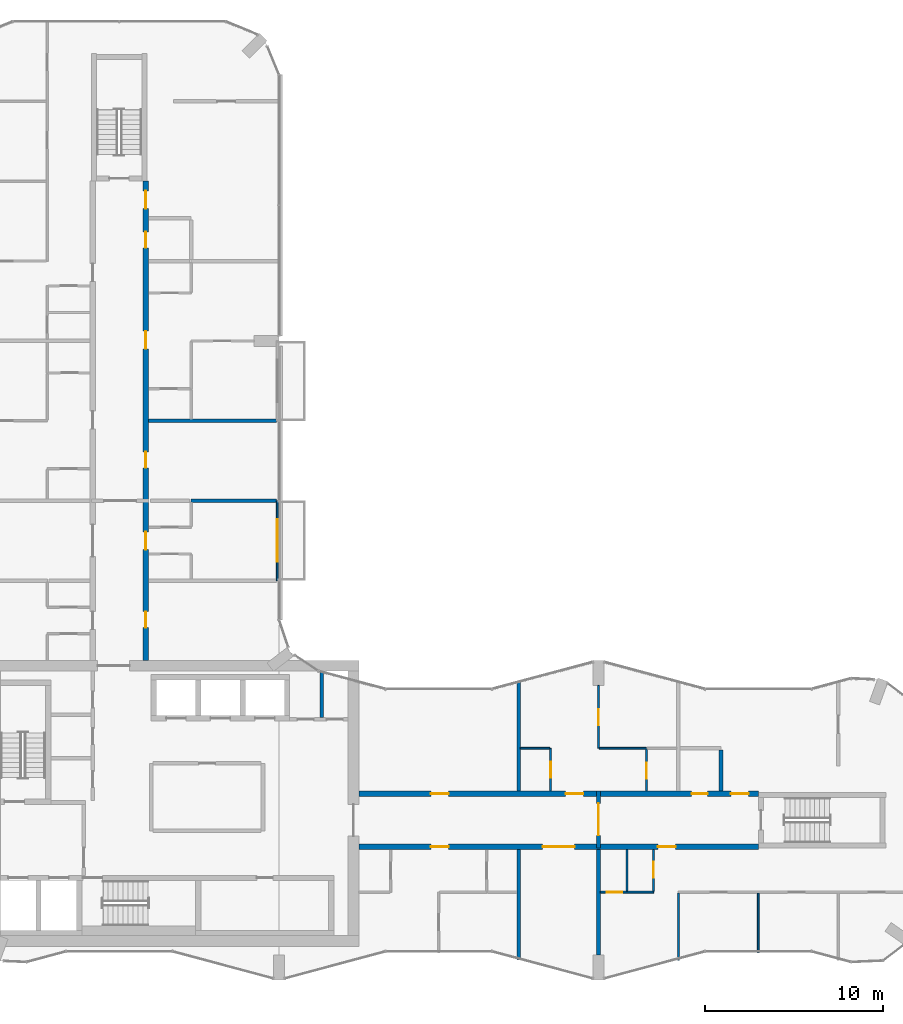
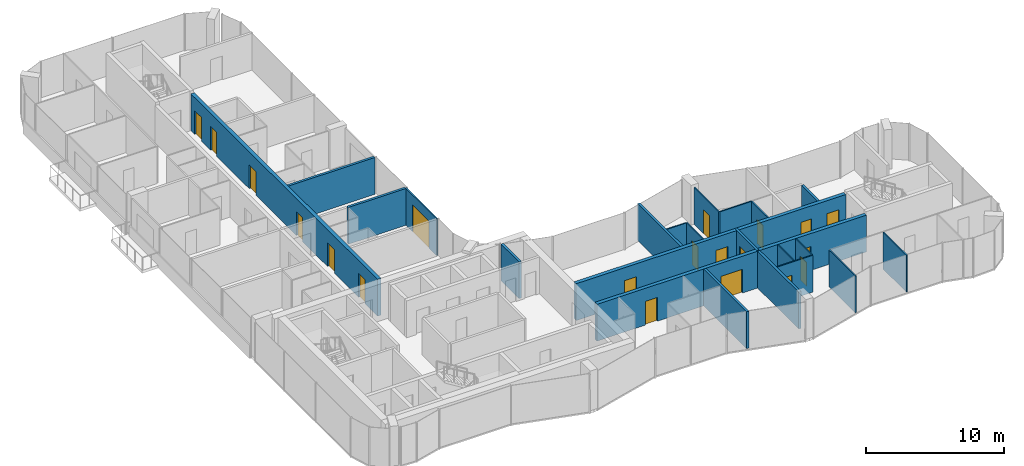
# One storey, part 11 of 15: 22 walls, 20 doors, 20 openings.
"""IFC4 building model written with IfcOpenShell, lengths in metres."""

from ifc_helpers import new_model, si_unit, direction, frame, frame_2d, origin, place, context, subcontext, project, spatial, rectangle, extrude, material, layer, layer_set, type_object, element, fill, save


model = new_model("IFC4")

# Units and contexts
model_context = context("Model", 3, precision=1e-05, world=origin(), true_north=direction((0.0, 1.0)))
body_context = subcontext(model_context, "Body", "Model", "MODEL_VIEW")
ifc_project = project(units=[si_unit("LENGTHUNIT", "METRE"), si_unit("AREAUNIT", "SQUARE_METRE"), si_unit("VOLUMEUNIT", "CUBIC_METRE"), si_unit("PLANEANGLEUNIT", "RADIAN"), si_unit("MASSUNIT", "GRAM", prefix="KILO")], contexts=[model_context])

# Site, building, storey
site_placement = place(None, origin())
site = spatial("IfcSite", under=ifc_project, at=site_placement, CompositionType="ELEMENT")
building_placement = place(site_placement, origin())
building = spatial("IfcBuilding", under=site, at=building_placement, Name="Plateau Cross Towers", CompositionType="ELEMENT")
storey_placement = place(building_placement, frame((0.0, 0.0, 149.89990234375)))
storey = spatial("IfcBuildingStorey", under=building, at=storey_placement, Name="L38", CompositionType="ELEMENT", Elevation=149.89990234375)

# Wall, opening, door
ifc_material_1 = material(Name="Aluminium framed glazing", Category="aluminium")
ifc_layer_1 = layer(ifc_material_1, 0.10009765625)
ifc_layer_set_1 = layer_set([ifc_layer_1], Name="Aluminium framed glazing")
wall_type_1 = type_object("IfcWallType", Name="Balcony screen wall 100", PredefinedType="STANDARD", material=ifc_layer_set_1)
wall_1_placement = place(storey_placement, frame((17.89990234375, 27.0, 0.0), z_axis=(0.0, 0.0, 1.0), x_axis=(0.0, -1.0, 0.0)))
wall_1 = element("IfcWall", 1, at=wall_1_placement, inside=storey, type_object=wall_type_1, Name="Balcony screen wall A-BAL-L38-03", PredefinedType="STANDARD", context=body_context, shape_type="SweptSolid", body=[
    extrude(rectangle(XDim=4.5, YDim=0.10009765625, at=frame_2d((2.25, 0.0))), origin(), (0.0, 0.0, 1.0), 3.25),
])
opening_1_placement = place(wall_1_placement, frame((1.050048828125, 0.0, 0.0)))
opening_1 = element("IfcOpeningElement", 2, at=opening_1_placement, cuts=wall_1, Name="Opening D-B24", PredefinedType="OPENING", context=body_context, shape_type="SweptSolid", body=[
    extrude(rectangle(XDim=2.39990234375, YDim=2.39990234375, at=frame_2d((1.199951171875, 1.199951171875))), frame((0.0, 0.06005859375, 0.0), z_axis=(0.0, -1.0, 0.0), x_axis=(1.0, 0.0, 0.0)), (0.0, 0.0, 1.0), 0.1201171875),
])
ifc_material_2 = material(Name="Aluminium frame, double glazing", Category="aluminium")
door_type_1 = type_object("IfcDoorType", Name="Balcony sliding door 2400", OperationType="NOTDEFINED", PredefinedType="DOOR", material=ifc_material_2)
door_1_placement = place(opening_1_placement, origin())
door_1 = element("IfcDoor", 3, at=door_1_placement, inside=storey, type_object=door_type_1, Name="Balcony door A-BAL-L38-03", OperationType="SINGLE_SWING_LEFT", OverallHeight=2.39990234375, OverallWidth=2.39990234375, PredefinedType="DOOR", context=body_context, shape_type="SweptSolid", body=[
    extrude(rectangle(XDim=2.39990234375, YDim=2.39990234375, at=frame_2d((1.199951171875, 1.199951171875))), frame((0.0, 0.02490234375, 0.0), z_axis=(0.0, -1.0, 0.0), x_axis=(1.0, 0.0, 0.0)), (0.0, 0.0, 1.0), 0.050048828125),
])
fill(opening_1, door_1)

# Wall
ifc_material_3 = material(Name="Concrete block, plastered both sides", Category="concrete")
ifc_layer_2 = layer(ifc_material_3, 0.199951171875)
ifc_layer_set_2 = layer_set([ifc_layer_2], Name="Concrete block, plastered both sides")
wall_type_2 = type_object("IfcWallType", Name="Core partition 200", PredefinedType="PARTITIONING", material=ifc_layer_set_2)
wall_2_placement = place(storey_placement, frame((20.39990234375, 14.800048828125, 0.0), z_axis=(0.0, 0.0, 1.0), x_axis=(0.0, 1.0, 0.0)))
element("IfcWall", 4, at=wall_2_placement, inside=storey, type_object=wall_type_2, Name="Core partition", PredefinedType="PARTITIONING", context=body_context, shape_type="SweptSolid", body=[
    extrude(rectangle(XDim=2.599853515625, YDim=0.199951171875, at=frame_2d((1.2998046875, 0.0))), origin(), (0.0, 0.0, 1.0), 3.25),
])

# Wall, openings, doors
ifc_material_4 = material(Name="Concrete C60/75", Category="concrete")
ifc_layer_3 = layer(ifc_material_4, 0.300048828125)
ifc_layer_set_3 = layer_set([ifc_layer_3], Name="Concrete C60/75")
wall_type_3 = type_object("IfcWallType", Name="Corridor wall 300", PredefinedType="SHEAR", material=ifc_layer_set_3)
wall_3_placement = place(storey_placement, frame((22.5, 7.5, 0.0), z_axis=(0.0, 0.0, 1.0), x_axis=(1.0, 0.0, 0.0)))
wall_3 = element("IfcWall", 5, at=wall_3_placement, inside=storey, type_object=wall_type_3, Name="A-cw-S1@L38", PredefinedType="SHEAR", context=body_context, shape_type="SweptSolid", body=[
    extrude(rectangle(XDim=22.5, YDim=0.300048828125, at=frame_2d((11.25, 0.0))), origin(), (0.0, 0.0, 1.0), 3.25),
])
opening_2_placement = place(wall_3_placement, frame((4.050048828125, 0.0, 0.0)))
opening_2 = element("IfcOpeningElement", 6, at=opening_2_placement, cuts=wall_3, Name="Opening 38-01", PredefinedType="OPENING", context=body_context, shape_type="SweptSolid", body=[
    extrude(rectangle(XDim=1.0, YDim=2.10009765625, at=frame_2d((0.5, 1.050048828125))), frame((0.0, 0.159912109375, 0.0), z_axis=(0.0, -1.0, 0.0), x_axis=(1.0, 0.0, 0.0)), (0.0, 0.0, 1.0), 0.320068359375),
])
opening_3_placement = place(wall_3_placement, frame((10.35009765625, 0.0, 0.0)))
opening_3 = element("IfcOpeningElement", 7, at=opening_3_placement, cuts=wall_3, Name="Opening 38-02", PredefinedType="OPENING", context=body_context, shape_type="SweptSolid", body=[
    extrude(rectangle(XDim=1.800048828125, YDim=2.10009765625, at=frame_2d((0.89990234375, 1.050048828125))), frame((0.0, 0.159912109375, 0.0), z_axis=(0.0, -1.0, 0.0), x_axis=(1.0, 0.0, 0.0)), (0.0, 0.0, 1.0), 0.320068359375),
])
opening_4_placement = place(wall_3_placement, frame((16.85009765625, 0.0, 0.0)))
opening_4 = element("IfcOpeningElement", 8, at=opening_4_placement, cuts=wall_3, Name="Opening 38-03", PredefinedType="OPENING", context=body_context, shape_type="SweptSolid", body=[
    extrude(rectangle(XDim=1.0, YDim=2.10009765625, at=frame_2d((0.5, 1.050048828125))), frame((0.0, 0.159912109375, 0.0), z_axis=(0.0, -1.0, 0.0), x_axis=(1.0, 0.0, 0.0)), (0.0, 0.0, 1.0), 0.320068359375),
])
ifc_material_5 = material(Name="Timber, fire-resisting leaf", Category="wood")
door_type_2 = type_object("IfcDoorType", Name="Flat entrance door 1000", OperationType="NOTDEFINED", PredefinedType="DOOR", material=ifc_material_5)
door_2_placement = place(opening_2_placement, origin())
door_2 = element("IfcDoor", 9, at=door_2_placement, inside=storey, type_object=door_type_2, Name="Door 38-01", OperationType="SINGLE_SWING_LEFT", OverallHeight=2.10009765625, OverallWidth=1.0, PredefinedType="DOOR", context=body_context, shape_type="SweptSolid", body=[
    extrude(rectangle(XDim=1.0, YDim=2.10009765625, at=frame_2d((0.5, 1.050048828125))), frame((0.0, 0.02490234375, 0.0), z_axis=(0.0, -1.0, 0.0), x_axis=(1.0, 0.0, 0.0)), (0.0, 0.0, 1.0), 0.050048828125),
])
fill(opening_2, door_2)
door_3_placement = place(opening_4_placement, origin())
door_3 = element("IfcDoor", 10, at=door_3_placement, inside=storey, type_object=door_type_2, Name="Door 38-03", OperationType="SINGLE_SWING_RIGHT", OverallHeight=2.10009765625, OverallWidth=1.0, PredefinedType="DOOR", context=body_context, shape_type="SweptSolid", body=[
    extrude(rectangle(XDim=1.0, YDim=2.10009765625, at=frame_2d((0.5, 1.050048828125))), frame((0.0, 0.02490234375, 0.0), z_axis=(0.0, -1.0, 0.0), x_axis=(1.0, 0.0, 0.0)), (0.0, 0.0, 1.0), 0.050048828125),
])
fill(opening_4, door_3)
ifc_material_6 = material(Name="Timber, fire-resisting leaves", Category="wood")
door_type_3 = type_object("IfcDoorType", Name="Flat floor fire door pair 1800", OperationType="NOTDEFINED", PredefinedType="DOOR", material=ifc_material_6)
door_4_placement = place(opening_3_placement, origin())
door_4 = element("IfcDoor", 11, at=door_4_placement, inside=storey, type_object=door_type_3, Name="Door 38-02", OperationType="SINGLE_SWING_LEFT", OverallHeight=2.10009765625, OverallWidth=1.800048828125, PredefinedType="DOOR", context=body_context, shape_type="SweptSolid", body=[
    extrude(rectangle(XDim=1.800048828125, YDim=2.10009765625, at=frame_2d((0.89990234375, 1.050048828125))), frame((0.0, 0.02490234375, 0.0), z_axis=(0.0, -1.0, 0.0), x_axis=(1.0, 0.0, 0.0)), (0.0, 0.0, 1.0), 0.050048828125),
])
fill(opening_3, door_4)

wall_4_placement = place(storey_placement, frame((22.5, 10.5, 0.0), z_axis=(0.0, 0.0, 1.0), x_axis=(1.0, 0.0, 0.0)))
wall_4 = element("IfcWall", 12, at=wall_4_placement, inside=storey, type_object=wall_type_3, Name="A-cw-S2@L38", PredefinedType="SHEAR", context=body_context, shape_type="SweptSolid", body=[
    extrude(rectangle(XDim=22.5, YDim=0.300048828125, at=frame_2d((11.25, 0.0))), origin(), (0.0, 0.0, 1.0), 3.25),
])
opening_5_placement = place(wall_4_placement, frame((4.050048828125, 0.0, 0.0)))
opening_5 = element("IfcOpeningElement", 13, at=opening_5_placement, cuts=wall_4, Name="Opening 38-04", PredefinedType="OPENING", context=body_context, shape_type="SweptSolid", body=[
    extrude(rectangle(XDim=1.0, YDim=2.10009765625, at=frame_2d((0.5, 1.050048828125))), frame((0.0, 0.159912109375, 0.0), z_axis=(0.0, -1.0, 0.0), x_axis=(1.0, 0.0, 0.0)), (0.0, 0.0, 1.0), 0.320068359375),
])
opening_6_placement = place(wall_4_placement, frame((11.64990234375, 0.0, 0.0)))
opening_6 = element("IfcOpeningElement", 14, at=opening_6_placement, cuts=wall_4, Name="Opening 38-05", PredefinedType="OPENING", context=body_context, shape_type="SweptSolid", body=[
    extrude(rectangle(XDim=1.0, YDim=2.10009765625, at=frame_2d((0.5, 1.050048828125))), frame((0.0, 0.159912109375, 0.0), z_axis=(0.0, -1.0, 0.0), x_axis=(1.0, 0.0, 0.0)), (0.0, 0.0, 1.0), 0.320068359375),
])
opening_7_placement = place(wall_4_placement, frame((18.75, 0.0, 0.0)))
opening_7 = element("IfcOpeningElement", 15, at=opening_7_placement, cuts=wall_4, Name="Opening 38-06", PredefinedType="OPENING", context=body_context, shape_type="SweptSolid", body=[
    extrude(rectangle(XDim=0.89990234375, YDim=2.10009765625, at=frame_2d((0.449951171875, 1.050048828125))), frame((0.0, 0.159912109375, 0.0), z_axis=(0.0, -1.0, 0.0), x_axis=(1.0, 0.0, 0.0)), (0.0, 0.0, 1.0), 0.320068359375),
])
opening_8_placement = place(wall_4_placement, frame((20.949951171875, 0.0, 0.0)))
opening_8 = element("IfcOpeningElement", 16, at=opening_8_placement, cuts=wall_4, Name="Opening 38-07", PredefinedType="OPENING", context=body_context, shape_type="SweptSolid", body=[
    extrude(rectangle(XDim=1.0, YDim=2.10009765625, at=frame_2d((0.5, 1.050048828125))), frame((0.0, 0.159912109375, 0.0), z_axis=(0.0, -1.0, 0.0), x_axis=(1.0, 0.0, 0.0)), (0.0, 0.0, 1.0), 0.320068359375),
])
door_5_placement = place(opening_5_placement, origin())
door_5 = element("IfcDoor", 17, at=door_5_placement, inside=storey, type_object=door_type_2, Name="Door 38-04", OperationType="SINGLE_SWING_LEFT", OverallHeight=2.10009765625, OverallWidth=1.0, PredefinedType="DOOR", context=body_context, shape_type="SweptSolid", body=[
    extrude(rectangle(XDim=1.0, YDim=2.10009765625, at=frame_2d((0.5, 1.050048828125))), frame((0.0, 0.02490234375, 0.0), z_axis=(0.0, -1.0, 0.0), x_axis=(1.0, 0.0, 0.0)), (0.0, 0.0, 1.0), 0.050048828125),
])
fill(opening_5, door_5)
door_6_placement = place(opening_6_placement, origin())
door_6 = element("IfcDoor", 18, at=door_6_placement, inside=storey, type_object=door_type_2, Name="Door 38-05", OperationType="SINGLE_SWING_RIGHT", OverallHeight=2.10009765625, OverallWidth=1.0, PredefinedType="DOOR", context=body_context, shape_type="SweptSolid", body=[
    extrude(rectangle(XDim=1.0, YDim=2.10009765625, at=frame_2d((0.5, 1.050048828125))), frame((0.0, 0.02490234375, 0.0), z_axis=(0.0, -1.0, 0.0), x_axis=(1.0, 0.0, 0.0)), (0.0, 0.0, 1.0), 0.050048828125),
])
fill(opening_6, door_6)
door_7_placement = place(opening_8_placement, origin())
door_7 = element("IfcDoor", 19, at=door_7_placement, inside=storey, type_object=door_type_2, Name="Door 38-07", OperationType="SINGLE_SWING_RIGHT", OverallHeight=2.10009765625, OverallWidth=1.0, PredefinedType="DOOR", context=body_context, shape_type="SweptSolid", body=[
    extrude(rectangle(XDim=1.0, YDim=2.10009765625, at=frame_2d((0.5, 1.050048828125))), frame((0.0, 0.02490234375, 0.0), z_axis=(0.0, -1.0, 0.0), x_axis=(1.0, 0.0, 0.0)), (0.0, 0.0, 1.0), 0.050048828125),
])
fill(opening_8, door_7)
door_type_4 = type_object("IfcDoorType", Name="Flat floor service door 900", OperationType="NOTDEFINED", PredefinedType="DOOR", material=ifc_material_5)
door_8_placement = place(opening_7_placement, origin())
door_8 = element("IfcDoor", 20, at=door_8_placement, inside=storey, type_object=door_type_4, Name="Door 38-06", OperationType="SINGLE_SWING_RIGHT", OverallHeight=2.10009765625, OverallWidth=0.89990234375, PredefinedType="DOOR", context=body_context, shape_type="SweptSolid", body=[
    extrude(rectangle(XDim=0.89990234375, YDim=2.10009765625, at=frame_2d((0.449951171875, 1.050048828125))), frame((0.0, 0.02490234375, 0.0), z_axis=(0.0, -1.0, 0.0), x_axis=(1.0, 0.0, 0.0)), (0.0, 0.0, 1.0), 0.050048828125),
])
fill(opening_7, door_8)

wall_5_placement = place(storey_placement, frame((10.5, 18.0, 0.0), z_axis=(0.0, 0.0, 1.0), x_axis=(0.0, 1.0, 0.0)))
wall_5 = element("IfcWall", 21, at=wall_5_placement, inside=storey, type_object=wall_type_3, Name="A-cw-W2@L38", PredefinedType="SHEAR", context=body_context, shape_type="SweptSolid", body=[
    extrude(rectangle(XDim=27.0, YDim=0.300048828125, at=frame_2d((13.5, 0.0))), origin(), (0.0, 0.0, 1.0), 3.25),
])
opening_9_placement = place(wall_5_placement, frame((1.85009765625, 0.0, 0.0)))
opening_9 = element("IfcOpeningElement", 22, at=opening_9_placement, cuts=wall_5, Name="Opening 38-12", PredefinedType="OPENING", context=body_context, shape_type="SweptSolid", body=[
    extrude(rectangle(XDim=0.89990234375, YDim=2.10009765625, at=frame_2d((0.449951171875, 1.050048828125))), frame((0.0, 0.159912109375, 0.0), z_axis=(0.0, -1.0, 0.0), x_axis=(1.0, 0.0, 0.0)), (0.0, 0.0, 1.0), 0.320068359375),
])
opening_10_placement = place(wall_5_placement, frame((6.25, 0.0, 0.0)))
opening_10 = element("IfcOpeningElement", 23, at=opening_10_placement, cuts=wall_5, Name="Opening 38-13", PredefinedType="OPENING", context=body_context, shape_type="SweptSolid", body=[
    extrude(rectangle(XDim=1.0, YDim=2.10009765625, at=frame_2d((0.5, 1.050048828125))), frame((0.0, 0.159912109375, 0.0), z_axis=(0.0, -1.0, 0.0), x_axis=(1.0, 0.0, 0.0)), (0.0, 0.0, 1.0), 0.320068359375),
])
opening_11_placement = place(wall_5_placement, frame((10.85009765625, 0.0, 0.0)))
opening_11 = element("IfcOpeningElement", 24, at=opening_11_placement, cuts=wall_5, Name="Opening 38-14", PredefinedType="OPENING", context=body_context, shape_type="SweptSolid", body=[
    extrude(rectangle(XDim=0.89990234375, YDim=2.10009765625, at=frame_2d((0.449951171875, 1.050048828125))), frame((0.0, 0.159912109375, 0.0), z_axis=(0.0, -1.0, 0.0), x_axis=(1.0, 0.0, 0.0)), (0.0, 0.0, 1.0), 0.320068359375),
])
opening_12_placement = place(wall_5_placement, frame((17.550048828125, 0.0, 0.0)))
opening_12 = element("IfcOpeningElement", 25, at=opening_12_placement, cuts=wall_5, Name="Opening 38-15", PredefinedType="OPENING", context=body_context, shape_type="SweptSolid", body=[
    extrude(rectangle(XDim=1.0, YDim=2.10009765625, at=frame_2d((0.5, 1.050048828125))), frame((0.0, 0.159912109375, 0.0), z_axis=(0.0, -1.0, 0.0), x_axis=(1.0, 0.0, 0.0)), (0.0, 0.0, 1.0), 0.320068359375),
])
opening_13_placement = place(wall_5_placement, frame((23.25, 0.0, 0.0)))
opening_13 = element("IfcOpeningElement", 26, at=opening_13_placement, cuts=wall_5, Name="Opening 38-16", PredefinedType="OPENING", context=body_context, shape_type="SweptSolid", body=[
    extrude(rectangle(XDim=0.89990234375, YDim=2.10009765625, at=frame_2d((0.449951171875, 1.050048828125))), frame((0.0, 0.159912109375, 0.0), z_axis=(0.0, -1.0, 0.0), x_axis=(1.0, 0.0, 0.0)), (0.0, 0.0, 1.0), 0.320068359375),
])
opening_14_placement = place(wall_5_placement, frame((25.449951171875, 0.0, 0.0)))
opening_14 = element("IfcOpeningElement", 27, at=opening_14_placement, cuts=wall_5, Name="Opening 38-17", PredefinedType="OPENING", context=body_context, shape_type="SweptSolid", body=[
    extrude(rectangle(XDim=1.0, YDim=2.10009765625, at=frame_2d((0.5, 1.050048828125))), frame((0.0, 0.159912109375, 0.0), z_axis=(0.0, -1.0, 0.0), x_axis=(1.0, 0.0, 0.0)), (0.0, 0.0, 1.0), 0.320068359375),
])
door_9_placement = place(opening_10_placement, origin())
door_9 = element("IfcDoor", 28, at=door_9_placement, inside=storey, type_object=door_type_2, Name="Door 38-13", OperationType="SINGLE_SWING_LEFT", OverallHeight=2.10009765625, OverallWidth=1.0, PredefinedType="DOOR", context=body_context, shape_type="SweptSolid", body=[
    extrude(rectangle(XDim=1.0, YDim=2.10009765625, at=frame_2d((0.5, 1.050048828125))), frame((0.0, 0.02490234375, 0.0), z_axis=(0.0, -1.0, 0.0), x_axis=(1.0, 0.0, 0.0)), (0.0, 0.0, 1.0), 0.050048828125),
])
fill(opening_10, door_9)
door_10_placement = place(opening_12_placement, origin())
door_10 = element("IfcDoor", 29, at=door_10_placement, inside=storey, type_object=door_type_2, Name="Door 38-15", OperationType="SINGLE_SWING_RIGHT", OverallHeight=2.10009765625, OverallWidth=1.0, PredefinedType="DOOR", context=body_context, shape_type="SweptSolid", body=[
    extrude(rectangle(XDim=1.0, YDim=2.10009765625, at=frame_2d((0.5, 1.050048828125))), frame((0.0, 0.02490234375, 0.0), z_axis=(0.0, -1.0, 0.0), x_axis=(1.0, 0.0, 0.0)), (0.0, 0.0, 1.0), 0.050048828125),
])
fill(opening_12, door_10)
door_11_placement = place(opening_14_placement, origin())
door_11 = element("IfcDoor", 30, at=door_11_placement, inside=storey, type_object=door_type_2, Name="Door 38-17", OperationType="SINGLE_SWING_RIGHT", OverallHeight=2.10009765625, OverallWidth=1.0, PredefinedType="DOOR", context=body_context, shape_type="SweptSolid", body=[
    extrude(rectangle(XDim=1.0, YDim=2.10009765625, at=frame_2d((0.5, 1.050048828125))), frame((0.0, 0.02490234375, 0.0), z_axis=(0.0, -1.0, 0.0), x_axis=(1.0, 0.0, 0.0)), (0.0, 0.0, 1.0), 0.050048828125),
])
fill(opening_14, door_11)
door_12_placement = place(opening_9_placement, origin())
door_12 = element("IfcDoor", 31, at=door_12_placement, inside=storey, type_object=door_type_4, Name="Door 38-12", OperationType="SINGLE_SWING_LEFT", OverallHeight=2.10009765625, OverallWidth=0.89990234375, PredefinedType="DOOR", context=body_context, shape_type="SweptSolid", body=[
    extrude(rectangle(XDim=0.89990234375, YDim=2.10009765625, at=frame_2d((0.449951171875, 1.050048828125))), frame((0.0, 0.02490234375, 0.0), z_axis=(0.0, -1.0, 0.0), x_axis=(1.0, 0.0, 0.0)), (0.0, 0.0, 1.0), 0.050048828125),
])
fill(opening_9, door_12)
door_13_placement = place(opening_11_placement, origin())
door_13 = element("IfcDoor", 32, at=door_13_placement, inside=storey, type_object=door_type_4, Name="Door 38-14", OperationType="SINGLE_SWING_LEFT", OverallHeight=2.10009765625, OverallWidth=0.89990234375, PredefinedType="DOOR", context=body_context, shape_type="SweptSolid", body=[
    extrude(rectangle(XDim=0.89990234375, YDim=2.10009765625, at=frame_2d((0.449951171875, 1.050048828125))), frame((0.0, 0.02490234375, 0.0), z_axis=(0.0, -1.0, 0.0), x_axis=(1.0, 0.0, 0.0)), (0.0, 0.0, 1.0), 0.050048828125),
])
fill(opening_11, door_13)
door_14_placement = place(opening_13_placement, origin())
door_14 = element("IfcDoor", 33, at=door_14_placement, inside=storey, type_object=door_type_4, Name="Door 38-16", OperationType="SINGLE_SWING_RIGHT", OverallHeight=2.10009765625, OverallWidth=0.89990234375, PredefinedType="DOOR", context=body_context, shape_type="SweptSolid", body=[
    extrude(rectangle(XDim=0.89990234375, YDim=2.10009765625, at=frame_2d((0.449951171875, 1.050048828125))), frame((0.0, 0.02490234375, 0.0), z_axis=(0.0, -1.0, 0.0), x_axis=(1.0, 0.0, 0.0)), (0.0, 0.0, 1.0), 0.050048828125),
])
fill(opening_13, door_14)

# Wall, opening, door
ifc_material_7 = material(Name="Gypsum board on steel studs", Category="steel")
ifc_layer_4 = layer(ifc_material_7, 0.10009765625)
ifc_layer_set_4 = layer_set([ifc_layer_4], Name="Gypsum board on steel studs")
wall_type_4 = type_object("IfcWallType", Name="Flat partition 100", PredefinedType="PARTITIONING", material=ifc_layer_set_4)
wall_6_placement = place(storey_placement, frame((36.10009765625, 4.949951171875, 0.0), z_axis=(0.0, 0.0, 1.0), x_axis=(1.0, 0.0, 0.0)))
wall_6 = element("IfcWall", 34, at=wall_6_placement, inside=storey, type_object=wall_type_4, Name="Partition wall", PredefinedType="PARTITIONING", context=body_context, shape_type="SweptSolid", body=[
    extrude(rectangle(XDim=3.0, YDim=0.10009765625, at=frame_2d((1.5, 0.0))), origin(), (0.0, 0.0, 1.0), 3.25),
])
opening_15_placement = place(wall_6_placement, frame((0.35009765625, 0.0, 0.0)))
opening_15 = element("IfcOpeningElement", 35, at=opening_15_placement, cuts=wall_6, Name="Opening 38-25", PredefinedType="OPENING", context=body_context, shape_type="SweptSolid", body=[
    extrude(rectangle(XDim=0.89990234375, YDim=2.10009765625, at=frame_2d((0.449951171875, 1.050048828125))), frame((0.0, 0.06005859375, 0.0), z_axis=(0.0, -1.0, 0.0), x_axis=(1.0, 0.0, 0.0)), (0.0, 0.0, 1.0), 0.1201171875),
])
ifc_material_8 = material(Name="Timber leaf", Category="wood")
door_type_5 = type_object("IfcDoorType", Name="Flat room door 900", OperationType="NOTDEFINED", PredefinedType="DOOR", material=ifc_material_8)
door_15_placement = place(opening_15_placement, origin())
door_15 = element("IfcDoor", 36, at=door_15_placement, inside=storey, type_object=door_type_5, Name="Door 38-25", OperationType="SINGLE_SWING_LEFT", OverallHeight=2.10009765625, OverallWidth=0.89990234375, PredefinedType="DOOR", context=body_context, shape_type="SweptSolid", body=[
    extrude(rectangle(XDim=0.89990234375, YDim=2.10009765625, at=frame_2d((0.449951171875, 1.050048828125))), frame((0.0, 0.02490234375, 0.0), z_axis=(0.0, -1.0, 0.0), x_axis=(1.0, 0.0, 0.0)), (0.0, 0.0, 1.0), 0.050048828125),
])
fill(opening_15, door_15)

# Walls
wall_7_placement = place(storey_placement, frame((33.25, 13.050048828125, 0.0), z_axis=(0.0, 0.0, 1.0), x_axis=(-1.0, 0.0, 0.0)))
element("IfcWall", 37, at=wall_7_placement, inside=storey, type_object=wall_type_4, Name="Partition wall", PredefinedType="PARTITIONING", context=body_context, shape_type="SweptSolid", body=[
    extrude(rectangle(XDim=1.64990234375, YDim=0.10009765625, at=frame_2d((0.824951171875, 0.0))), origin(), (0.0, 0.0, 1.0), 3.25),
])
wall_8_placement = place(storey_placement, frame((36.050048828125, 13.050048828125, 0.0), z_axis=(0.0, 0.0, 1.0), x_axis=(1.0, 0.0, 0.0)))
element("IfcWall", 38, at=wall_8_placement, inside=storey, type_object=wall_type_4, Name="Partition wall", PredefinedType="PARTITIONING", context=body_context, shape_type="SweptSolid", body=[
    extrude(rectangle(XDim=2.64990234375, YDim=0.10009765625, at=frame_2d((1.324951171875, 0.0))), origin(), (0.0, 0.0, 1.0), 3.25),
])

# Wall, opening, door
wall_9_placement = place(storey_placement, frame((33.300048828125, 10.64990234375, 0.0), z_axis=(0.0, 0.0, 1.0), x_axis=(0.0, 1.0, 0.0)))
wall_9 = element("IfcWall", 39, at=wall_9_placement, inside=storey, type_object=wall_type_4, Name="Partition wall", PredefinedType="PARTITIONING", context=body_context, shape_type="SweptSolid", body=[
    extrude(rectangle(XDim=2.400146484375, YDim=0.10009765625, at=frame_2d((1.2001953125, 0.0))), origin(), (0.0, 0.0, 1.0), 3.25),
])
opening_16_placement = place(wall_9_placement, frame((0.75, 0.0, 0.0)))
opening_16 = element("IfcOpeningElement", 40, at=opening_16_placement, cuts=wall_9, Name="Opening 38-30", PredefinedType="OPENING", context=body_context, shape_type="SweptSolid", body=[
    extrude(rectangle(XDim=0.89990234375, YDim=2.10009765625, at=frame_2d((0.449951171875, 1.050048828125))), frame((0.0, 0.06005859375, 0.0), z_axis=(0.0, -1.0, 0.0), x_axis=(1.0, 0.0, 0.0)), (0.0, 0.0, 1.0), 0.1201171875),
])
door_16_placement = place(opening_16_placement, origin())
door_16 = element("IfcDoor", 41, at=door_16_placement, inside=storey, type_object=door_type_5, Name="Door 38-30", OperationType="SINGLE_SWING_LEFT", OverallHeight=2.10009765625, OverallWidth=0.89990234375, PredefinedType="DOOR", context=body_context, shape_type="SweptSolid", body=[
    extrude(rectangle(XDim=0.89990234375, YDim=2.10009765625, at=frame_2d((0.449951171875, 1.050048828125))), frame((0.0, 0.02490234375, 0.0), z_axis=(0.0, -1.0, 0.0), x_axis=(1.0, 0.0, 0.0)), (0.0, 0.0, 1.0), 0.050048828125),
])
fill(opening_16, door_16)

wall_10_placement = place(storey_placement, frame((36.0, 16.60009765625, 0.0), z_axis=(0.0, 0.0, 1.0), x_axis=(0.0, -1.0, 0.0)))
wall_10 = element("IfcWall", 42, at=wall_10_placement, inside=storey, type_object=wall_type_4, Name="Partition wall", PredefinedType="PARTITIONING", context=body_context, shape_type="SweptSolid", body=[
    extrude(rectangle(XDim=3.550048828125, YDim=0.10009765625, at=frame_2d((1.77490234375, 0.0))), origin(), (0.0, 0.0, 1.0), 3.25),
])
opening_17_placement = place(wall_10_placement, frame((1.35009765625, 0.0, 0.0)))
opening_17 = element("IfcOpeningElement", 43, at=opening_17_placement, cuts=wall_10, Name="Opening 38-32", PredefinedType="OPENING", context=body_context, shape_type="SweptSolid", body=[
    extrude(rectangle(XDim=0.89990234375, YDim=2.10009765625, at=frame_2d((0.449951171875, 1.050048828125))), frame((0.0, 0.06005859375, 0.0), z_axis=(0.0, -1.0, 0.0), x_axis=(1.0, 0.0, 0.0)), (0.0, 0.0, 1.0), 0.1201171875),
])
door_17_placement = place(opening_17_placement, origin())
door_17 = element("IfcDoor", 44, at=door_17_placement, inside=storey, type_object=door_type_5, Name="Door 38-32", OperationType="SINGLE_SWING_RIGHT", OverallHeight=2.10009765625, OverallWidth=0.89990234375, PredefinedType="DOOR", context=body_context, shape_type="SweptSolid", body=[
    extrude(rectangle(XDim=0.89990234375, YDim=2.10009765625, at=frame_2d((0.449951171875, 1.050048828125))), frame((0.0, 0.02490234375, 0.0), z_axis=(0.0, -1.0, 0.0), x_axis=(1.0, 0.0, 0.0)), (0.0, 0.0, 1.0), 0.050048828125),
])
fill(opening_17, door_17)

# Wall
wall_11_placement = place(storey_placement, frame((37.60009765625, 5.0, 0.0), z_axis=(0.0, 0.0, 1.0), x_axis=(0.0, 1.0, 0.0)))
element("IfcWall", 45, at=wall_11_placement, inside=storey, type_object=wall_type_4, Name="Partition wall", PredefinedType="PARTITIONING", context=body_context, shape_type="SweptSolid", body=[
    extrude(rectangle(XDim=2.35009765625, YDim=0.10009765625, at=frame_2d((1.175048828125, 0.0))), origin(), (0.0, 0.0, 1.0), 3.25),
])

# Wall, opening, door
wall_12_placement = place(storey_placement, frame((38.699951171875, 13.0, 0.0), z_axis=(0.0, 0.0, 1.0), x_axis=(0.0, -1.0, 0.0)))
wall_12 = element("IfcWall", 46, at=wall_12_placement, inside=storey, type_object=wall_type_4, Name="Partition wall", PredefinedType="PARTITIONING", context=body_context, shape_type="SweptSolid", body=[
    extrude(rectangle(XDim=2.35009765625, YDim=0.10009765625, at=frame_2d((1.175048828125, 0.0))), origin(), (0.0, 0.0, 1.0), 3.25),
])
opening_18_placement = place(wall_12_placement, frame((0.75, 0.0, 0.0)))
opening_18 = element("IfcOpeningElement", 47, at=opening_18_placement, cuts=wall_12, Name="Opening 38-31", PredefinedType="OPENING", context=body_context, shape_type="SweptSolid", body=[
    extrude(rectangle(XDim=0.89990234375, YDim=2.10009765625, at=frame_2d((0.449951171875, 1.050048828125))), frame((0.0, 0.06005859375, 0.0), z_axis=(0.0, -1.0, 0.0), x_axis=(1.0, 0.0, 0.0)), (0.0, 0.0, 1.0), 0.1201171875),
])
door_18_placement = place(opening_18_placement, origin())
door_18 = element("IfcDoor", 48, at=door_18_placement, inside=storey, type_object=door_type_5, Name="Door 38-31", OperationType="SINGLE_SWING_RIGHT", OverallHeight=2.10009765625, OverallWidth=0.89990234375, PredefinedType="DOOR", context=body_context, shape_type="SweptSolid", body=[
    extrude(rectangle(XDim=0.89990234375, YDim=2.10009765625, at=frame_2d((0.449951171875, 1.050048828125))), frame((0.0, 0.02490234375, 0.0), z_axis=(0.0, -1.0, 0.0), x_axis=(1.0, 0.0, 0.0)), (0.0, 0.0, 1.0), 0.050048828125),
])
fill(opening_18, door_18)

wall_13_placement = place(storey_placement, frame((39.10009765625, 5.0, 0.0), z_axis=(0.0, 0.0, 1.0), x_axis=(0.0, 1.0, 0.0)))
wall_13 = element("IfcWall", 49, at=wall_13_placement, inside=storey, type_object=wall_type_4, Name="Partition wall", PredefinedType="PARTITIONING", context=body_context, shape_type="SweptSolid", body=[
    extrude(rectangle(XDim=2.35009765625, YDim=0.10009765625, at=frame_2d((1.175048828125, 0.0))), origin(), (0.0, 0.0, 1.0), 3.25),
])
opening_19_placement = place(wall_13_placement, frame((0.75, 0.0, 0.0)))
opening_19 = element("IfcOpeningElement", 50, at=opening_19_placement, cuts=wall_13, Name="Opening 38-26", PredefinedType="OPENING", context=body_context, shape_type="SweptSolid", body=[
    extrude(rectangle(XDim=0.89990234375, YDim=2.10009765625, at=frame_2d((0.449951171875, 1.050048828125))), frame((0.0, 0.06005859375, 0.0), z_axis=(0.0, -1.0, 0.0), x_axis=(1.0, 0.0, 0.0)), (0.0, 0.0, 1.0), 0.1201171875),
])
door_19_placement = place(opening_19_placement, origin())
door_19 = element("IfcDoor", 51, at=door_19_placement, inside=storey, type_object=door_type_5, Name="Door 38-26", OperationType="SINGLE_SWING_RIGHT", OverallHeight=2.10009765625, OverallWidth=0.89990234375, PredefinedType="DOOR", context=body_context, shape_type="SweptSolid", body=[
    extrude(rectangle(XDim=0.89990234375, YDim=2.10009765625, at=frame_2d((0.449951171875, 1.050048828125))), frame((0.0, 0.02490234375, 0.0), z_axis=(0.0, -1.0, 0.0), x_axis=(1.0, 0.0, 0.0)), (0.0, 0.0, 1.0), 0.050048828125),
])
fill(opening_19, door_19)

# Walls
wall_14_placement = place(storey_placement, frame((40.5, 4.89990234375, 0.0), z_axis=(0.0, 0.0, 1.0), x_axis=(0.0, -1.0, 0.0)))
element("IfcWall", 52, at=wall_14_placement, inside=storey, type_object=wall_type_4, Name="Partition wall", PredefinedType="PARTITIONING", context=body_context, shape_type="SweptSolid", body=[
    extrude(rectangle(XDim=3.777587890625, YDim=0.10009765625, at=frame_2d((1.888671875, 0.0))), origin(), (0.0, 0.0, 1.0), 3.25),
])
wall_15_placement = place(storey_placement, frame((45.0, 1.52685546875, 0.0), z_axis=(0.0, 0.0, 1.0), x_axis=(0.0, 1.0, 0.0)))
element("IfcWall", 53, at=wall_15_placement, inside=storey, type_object=wall_type_4, Name="Partition wall", PredefinedType="PARTITIONING", context=body_context, shape_type="SweptSolid", body=[
    extrude(rectangle(XDim=3.373046875, YDim=0.10009765625, at=frame_2d((1.6865234375, 0.0))), origin(), (0.0, 0.0, 1.0), 3.25),
])
ifc_material_9 = material(Name="Gypsum board on steel studs, two layers each side", Category="steel")
ifc_layer_5 = layer(ifc_material_9, 0.199951171875)
ifc_layer_set_5 = layer_set([ifc_layer_5], Name="Gypsum board on steel studs, two layers each side")
wall_type_5 = type_object("IfcWallType", Name="Flat party wall 200", PredefinedType="PARTITIONING", material=ifc_layer_set_5)
wall_16_placement = place(storey_placement, frame((13.050048828125, 27.0, 0.0), z_axis=(0.0, 0.0, 1.0), x_axis=(1.0, 0.0, 0.0)))
element("IfcWall", 54, at=wall_16_placement, inside=storey, type_object=wall_type_5, Name="Party wall", PredefinedType="PARTITIONING", context=body_context, shape_type="SweptSolid", body=[
    extrude(rectangle(XDim=4.800048828125, YDim=0.199951171875, at=frame_2d((2.39990234375, 0.0))), origin(), (0.0, 0.0, 1.0), 3.25),
])
wall_17_placement = place(storey_placement, frame((17.85009765625, 31.5, 0.0), z_axis=(0.0, 0.0, 1.0), x_axis=(-1.0, 0.0, 0.0)))
element("IfcWall", 55, at=wall_17_placement, inside=storey, type_object=wall_type_5, Name="Party wall", PredefinedType="PARTITIONING", context=body_context, shape_type="SweptSolid", body=[
    extrude(rectangle(XDim=7.2001953125, YDim=0.199951171875, at=frame_2d((3.60009765625, 0.0))), origin(), (0.0, 0.0, 1.0), 3.25),
])
for number, where, z_axis, x_axis, name in (
    (56, (31.5, 1.122314453125, 0.0), (0.0, 0.0, 1.0), (0.0, 1.0, 0.0), "Party wall"),
    (57, (31.5, 10.64990234375, 0.0), (0.0, 0.0, 1.0), (0.0, 1.0, 0.0), "Party wall"),
):
    element("IfcWall", number, at=place(storey_placement, frame(where, z_axis=z_axis, x_axis=x_axis)), inside=storey, type_object=wall_type_5, Name=name, PredefinedType="PARTITIONING", context=body_context, shape_type="SweptSolid", body=[
        extrude(rectangle(XDim=6.227783203125, YDim=0.199951171875, at=frame_2d((3.11376953125, 0.0))), origin(), (0.0, 0.0, 1.0), 3.25),
    ])
wall_18_placement = place(storey_placement, frame((36.0, 1.39990234375, 0.0), z_axis=(0.0, 0.0, 1.0), x_axis=(0.0, 1.0, 0.0)))
element("IfcWall", 58, at=wall_18_placement, inside=storey, type_object=wall_type_5, Name="Party wall", PredefinedType="PARTITIONING", context=body_context, shape_type="SweptSolid", body=[
    extrude(rectangle(XDim=5.9501953125, YDim=0.199951171875, at=frame_2d((2.97509765625, 0.0))), origin(), (0.0, 0.0, 1.0), 3.25),
])
wall_19_placement = place(storey_placement, frame((42.89990234375, 10.64990234375, 0.0), z_axis=(0.0, 0.0, 1.0), x_axis=(0.0, 1.0, 0.0)))
element("IfcWall", 59, at=wall_19_placement, inside=storey, type_object=wall_type_5, Name="Party wall", PredefinedType="PARTITIONING", context=body_context, shape_type="SweptSolid", body=[
    extrude(rectangle(XDim=2.300048828125, YDim=0.199951171875, at=frame_2d((1.14990234375, 0.0))), origin(), (0.0, 0.0, 1.0), 3.25),
])

# Wall, opening, door
wall_20_placement = place(storey_placement, frame((36.0, 7.449951171875, 0.0), z_axis=(0.0, 0.0, 1.0), x_axis=(0.0, 1.0, 0.0)))
wall_20 = element("IfcWall", 60, at=wall_20_placement, inside=storey, type_object=wall_type_5, Name="Party wall", PredefinedType="PARTITIONING", context=body_context, shape_type="SweptSolid", body=[
    extrude(rectangle(XDim=3.199951171875, YDim=0.199951171875, at=frame_2d((1.60009765625, 0.0))), origin(), (0.0, 0.0, 1.0), 3.25),
])
opening_20_placement = place(wall_20_placement, frame((0.699951171875, 0.0, 0.0)))
opening_20 = element("IfcOpeningElement", 61, at=opening_20_placement, cuts=wall_20, Name="Opening 38-18", PredefinedType="OPENING", context=body_context, shape_type="SweptSolid", body=[
    extrude(rectangle(XDim=1.800048828125, YDim=2.10009765625, at=frame_2d((0.89990234375, 1.050048828125))), frame((0.0, 0.10986328125, 0.0), z_axis=(0.0, -1.0, 0.0), x_axis=(1.0, 0.0, 0.0)), (0.0, 0.0, 1.0), 0.219970703125),
])
door_20_placement = place(opening_20_placement, origin())
door_20 = element("IfcDoor", 62, at=door_20_placement, inside=storey, type_object=door_type_3, Name="Door 38-18", OperationType="SINGLE_SWING_LEFT", OverallHeight=2.10009765625, OverallWidth=1.800048828125, PredefinedType="DOOR", context=body_context, shape_type="SweptSolid", body=[
    extrude(rectangle(XDim=1.800048828125, YDim=2.10009765625, at=frame_2d((0.89990234375, 1.050048828125))), frame((0.0, 0.02490234375, 0.0), z_axis=(0.0, -1.0, 0.0), x_axis=(1.0, 0.0, 0.0)), (0.0, 0.0, 1.0), 0.050048828125),
])
fill(opening_20, door_20)

save(model, "model.ifc")
